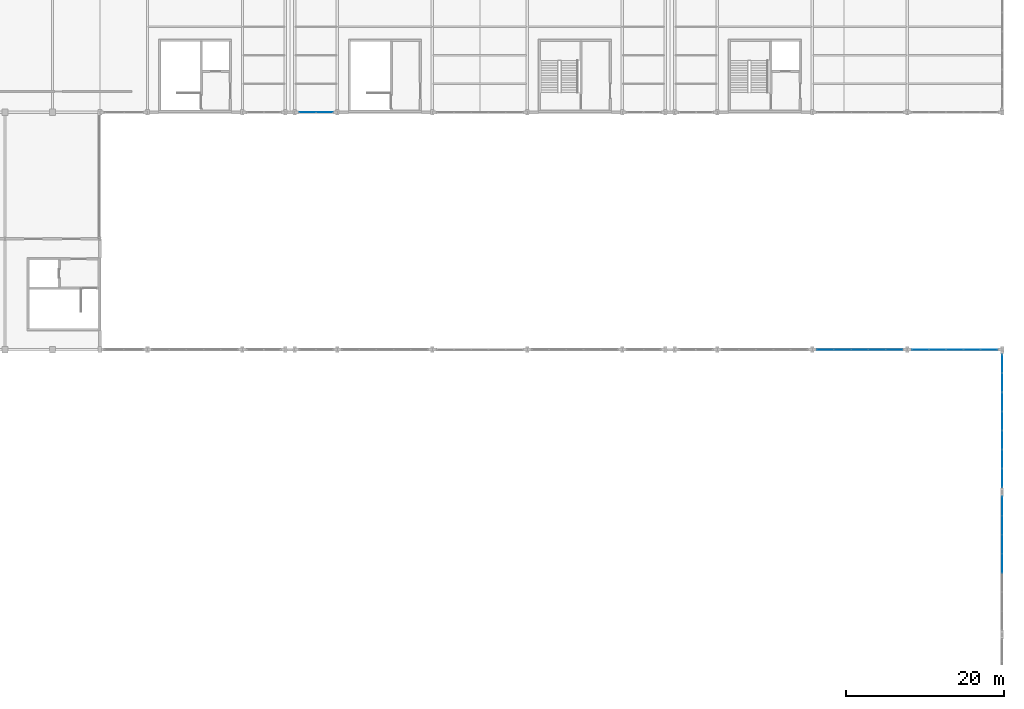
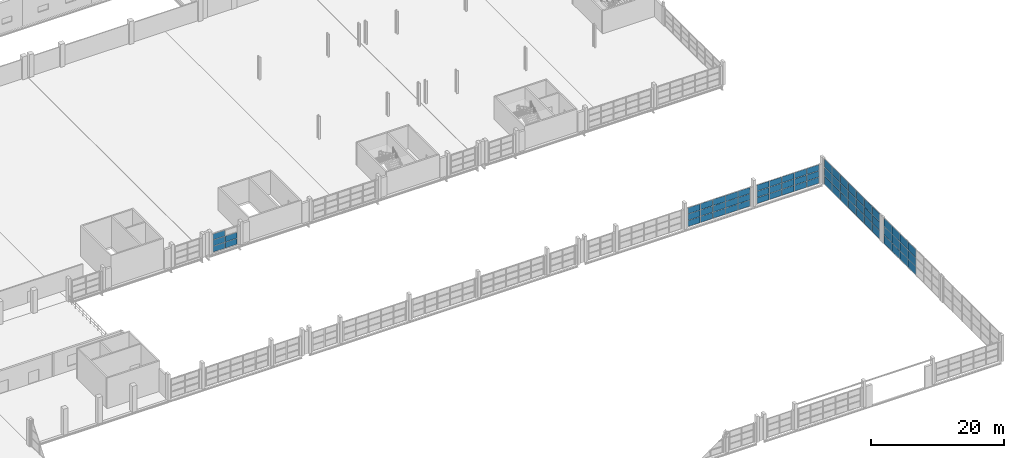
# One storey, part 126 of 147: 68 plates, 5 elements without a shape of their own.
"""IFC4 building model written with IfcOpenShell, lengths in metres."""

from ifc_helpers import new_model, si_unit, direction, frame, origin, origin_2d, place, context, subcontext, project, spatial, rectangle, extrude, material, layer, layer_set, type_object, element, aggregate, save


model = new_model("IFC4")

# Units and contexts
model_context = context("Model", 3, precision=1e-05, world=origin(), true_north=direction((0.0, 1.0)))
body_context = subcontext(model_context, "Body", "Model", "MODEL_VIEW")
ifc_project = project(units=[si_unit("LENGTHUNIT", "METRE"), si_unit("AREAUNIT", "SQUARE_METRE"), si_unit("VOLUMEUNIT", "CUBIC_METRE"), si_unit("PLANEANGLEUNIT", "RADIAN"), si_unit("MASSUNIT", "GRAM", prefix="KILO")], contexts=[model_context])

# Site, building, storey
site_placement = place(None, origin())
site = spatial("IfcSite", under=ifc_project, at=site_placement, CompositionType="ELEMENT")
building_placement = place(site_placement, origin())
building = spatial("IfcBuilding", under=site, at=building_placement, Name="Zilviju Railside Exhibition Hall", CompositionType="ELEMENT")
storey_placement = place(building_placement, frame((0.0, 0.0, 8.39990234375)))
storey = spatial("IfcBuildingStorey", under=building, at=storey_placement, Name="L03", CompositionType="ELEMENT", Elevation=8.39990234375)

# Curtain wall, plates
ifc_material_1 = material(Name="Thermally broken aluminium-steel triple-glazed curtain wall", Category="steel")
ifc_layer_1 = layer(ifc_material_1, 0.179931640625)
ifc_layer_set_1 = layer_set([ifc_layer_1], Name="Thermally broken aluminium-steel triple-glazed curtain wall")
curtain_wall_type_1 = type_object("IfcCurtainWallType", Name="CW-BAY-17", PredefinedType="USERDEFINED", material=ifc_layer_set_1)
curtain_wall_1_placement = place(storey_placement, origin())
curtain_wall_1 = element("IfcCurtainWall", 1, at=curtain_wall_1_placement, inside=storey, type_object=curtain_wall_type_1, Name="South Hall East Glazed Gable L03 (18..36)", ObjectType="GLAZED CURTAIN WALL", PredefinedType="USERDEFINED")
ifc_material_2 = material(Name="Laminated acoustic double-glazed porch unit", Category="glass")
ifc_layer_2 = layer(ifc_material_2, 0.031982421875)
ifc_layer_set_2 = layer_set([ifc_layer_2], Name="Laminated acoustic double-glazed porch unit")
plate_type_1 = type_object("IfcPlateType", Name="CWP-IGU-32", PredefinedType="CURTAIN_PANEL", material=ifc_layer_set_2)
plate_1_placement = place(storey_placement, frame((216.0, 34.227783203125, 0.06005859375), z_axis=(0.0, 0.0, 1.0), x_axis=(0.0, -1.0, 0.0)))
plate_1 = element("IfcPlate", 2, at=plate_1_placement, type_object=plate_type_1, Name="CW-17 panel 1.1", PredefinedType="CURTAIN_PANEL", context=body_context, shape_type="SweptSolid", body=[
    extrude(rectangle(XDim=2.32421875, YDim=0.031982421875, at=origin_2d()), origin(), (0.0, 0.0, 1.0), 1.510009765625),
])
plate_2_placement = place(storey_placement, frame((216.0, 34.227783203125, 1.630126953125), z_axis=(0.0, 0.0, 1.0), x_axis=(0.0, -1.0, 0.0)))
plate_2 = element("IfcPlate", 3, at=plate_2_placement, type_object=plate_type_1, Name="CW-17 panel 1.2", PredefinedType="CURTAIN_PANEL", context=body_context, shape_type="SweptSolid", body=[
    extrude(rectangle(XDim=2.32421875, YDim=0.031982421875, at=origin_2d()), origin(), (0.0, 0.0, 1.0), 1.5400390625),
])
plate_3_placement = place(storey_placement, frame((216.0, 34.227783203125, 3.22998046875), z_axis=(0.0, 0.0, 1.0), x_axis=(0.0, -1.0, 0.0)))
plate_3 = element("IfcPlate", 4, at=plate_3_placement, type_object=plate_type_1, Name="CW-17 panel 1.3", PredefinedType="CURTAIN_PANEL", context=body_context, shape_type="SweptSolid", body=[
    extrude(rectangle(XDim=2.32421875, YDim=0.031982421875, at=origin_2d()), origin(), (0.0, 0.0, 1.0), 1.510009765625),
])
plate_4_placement = place(storey_placement, frame((216.0, 31.82861328125, 0.06005859375), z_axis=(0.0, 0.0, 1.0), x_axis=(0.0, -1.0, 0.0)))
plate_4 = element("IfcPlate", 5, at=plate_4_placement, type_object=plate_type_1, Name="CW-17 panel 2.1", PredefinedType="CURTAIN_PANEL", context=body_context, shape_type="SweptSolid", body=[
    extrude(rectangle(XDim=2.354248046875, YDim=0.031982421875, at=origin_2d()), origin(), (0.0, 0.0, 1.0), 1.510009765625),
])
plate_5_placement = place(storey_placement, frame((216.0, 31.82861328125, 1.630126953125), z_axis=(0.0, 0.0, 1.0), x_axis=(0.0, -1.0, 0.0)))
plate_5 = element("IfcPlate", 6, at=plate_5_placement, type_object=plate_type_1, Name="CW-17 panel 2.2", PredefinedType="CURTAIN_PANEL", context=body_context, shape_type="SweptSolid", body=[
    extrude(rectangle(XDim=2.354248046875, YDim=0.031982421875, at=origin_2d()), origin(), (0.0, 0.0, 1.0), 1.5400390625),
])
plate_6_placement = place(storey_placement, frame((216.0, 31.82861328125, 3.22998046875), z_axis=(0.0, 0.0, 1.0), x_axis=(0.0, -1.0, 0.0)))
plate_6 = element("IfcPlate", 7, at=plate_6_placement, type_object=plate_type_1, Name="CW-17 panel 2.3", PredefinedType="CURTAIN_PANEL", context=body_context, shape_type="SweptSolid", body=[
    extrude(rectangle(XDim=2.354248046875, YDim=0.031982421875, at=origin_2d()), origin(), (0.0, 0.0, 1.0), 1.510009765625),
])
plate_7_placement = place(storey_placement, frame((216.0, 29.414306640625, 0.06005859375), z_axis=(0.0, 0.0, 1.0), x_axis=(0.0, -1.0, 0.0)))
plate_7 = element("IfcPlate", 8, at=plate_7_placement, type_object=plate_type_1, Name="CW-17 panel 3.1", PredefinedType="CURTAIN_PANEL", context=body_context, shape_type="SweptSolid", body=[
    extrude(rectangle(XDim=2.354248046875, YDim=0.031982421875, at=origin_2d()), origin(), (0.0, 0.0, 1.0), 1.510009765625),
])
plate_8_placement = place(storey_placement, frame((216.0, 29.414306640625, 1.630126953125), z_axis=(0.0, 0.0, 1.0), x_axis=(0.0, -1.0, 0.0)))
plate_8 = element("IfcPlate", 9, at=plate_8_placement, type_object=plate_type_1, Name="CW-17 panel 3.2", PredefinedType="CURTAIN_PANEL", context=body_context, shape_type="SweptSolid", body=[
    extrude(rectangle(XDim=2.354248046875, YDim=0.031982421875, at=origin_2d()), origin(), (0.0, 0.0, 1.0), 1.5400390625),
])
plate_9_placement = place(storey_placement, frame((216.0, 29.414306640625, 3.22998046875), z_axis=(0.0, 0.0, 1.0), x_axis=(0.0, -1.0, 0.0)))
plate_9 = element("IfcPlate", 10, at=plate_9_placement, type_object=plate_type_1, Name="CW-17 panel 3.3", PredefinedType="CURTAIN_PANEL", context=body_context, shape_type="SweptSolid", body=[
    extrude(rectangle(XDim=2.354248046875, YDim=0.031982421875, at=origin_2d()), origin(), (0.0, 0.0, 1.0), 1.510009765625),
])
plate_10_placement = place(storey_placement, frame((216.0, 27.0, 0.06005859375), z_axis=(0.0, 0.0, 1.0), x_axis=(0.0, -1.0, 0.0)))
plate_10 = element("IfcPlate", 11, at=plate_10_placement, type_object=plate_type_1, Name="CW-17 panel 4.1", PredefinedType="CURTAIN_PANEL", context=body_context, shape_type="SweptSolid", body=[
    extrude(rectangle(XDim=2.354248046875, YDim=0.031982421875, at=origin_2d()), origin(), (0.0, 0.0, 1.0), 1.510009765625),
])
plate_11_placement = place(storey_placement, frame((216.0, 27.0, 1.630126953125), z_axis=(0.0, 0.0, 1.0), x_axis=(0.0, -1.0, 0.0)))
plate_11 = element("IfcPlate", 12, at=plate_11_placement, type_object=plate_type_1, Name="CW-17 panel 4.2", PredefinedType="CURTAIN_PANEL", context=body_context, shape_type="SweptSolid", body=[
    extrude(rectangle(XDim=2.354248046875, YDim=0.031982421875, at=origin_2d()), origin(), (0.0, 0.0, 1.0), 1.5400390625),
])
plate_12_placement = place(storey_placement, frame((216.0, 27.0, 3.22998046875), z_axis=(0.0, 0.0, 1.0), x_axis=(0.0, -1.0, 0.0)))
plate_12 = element("IfcPlate", 13, at=plate_12_placement, type_object=plate_type_1, Name="CW-17 panel 4.3", PredefinedType="CURTAIN_PANEL", context=body_context, shape_type="SweptSolid", body=[
    extrude(rectangle(XDim=2.354248046875, YDim=0.031982421875, at=origin_2d()), origin(), (0.0, 0.0, 1.0), 1.510009765625),
])
aggregate(curtain_wall_1, [plate_1, plate_2, plate_3, plate_4, plate_5, plate_6, plate_7, plate_8, plate_9, plate_10, plate_11, plate_12])

ifc_layer_3 = layer(ifc_material_1, 0.179931640625)
ifc_layer_set_3 = layer_set([ifc_layer_3], Name="Thermally broken aluminium-steel triple-glazed curtain wall")
curtain_wall_type_2 = type_object("IfcCurtainWallType", Name="CW-BAY-20", PredefinedType="USERDEFINED", material=ifc_layer_set_3)
curtain_wall_2_placement = place(storey_placement, origin())
curtain_wall_2 = element("IfcCurtainWall", 14, at=curtain_wall_2_placement, inside=storey, type_object=curtain_wall_type_2, Name="North Hall Garden Court Curtain Wall L03 (127..132)", ObjectType="GLAZED CURTAIN WALL", PredefinedType="USERDEFINED")
ifc_material_3 = material(Name="Triple-glazed solar-control glass unit", Category="glass")
ifc_layer_4 = layer(ifc_material_3, 0.0380859375)
ifc_layer_set_4 = layer_set([ifc_layer_4], Name="Triple-glazed solar-control glass unit")
plate_type_2 = type_object("IfcPlateType", Name="CWP-IGU-38", PredefinedType="CURTAIN_PANEL", material=ifc_layer_set_4)
plate_13_placement = place(storey_placement, frame((130.358642578125, 84.0, 0.06494140625), z_axis=(0.0, 0.0, 1.0), x_axis=(-1.0, 0.0, 0.0)))
plate_13 = element("IfcPlate", 15, at=plate_13_placement, type_object=plate_type_2, Name="CW-20 panel 1.1", PredefinedType="CURTAIN_PANEL", context=body_context, shape_type="SweptSolid", body=[
    extrude(rectangle(XDim=2.052490234375, YDim=0.0380859375, at=origin_2d()), origin(), (0.0, 0.0, 1.0), 1.052490234375),
])
plate_14_placement = place(storey_placement, frame((130.358642578125, 84.0, 1.1826171875), z_axis=(0.0, 0.0, 1.0), x_axis=(-1.0, 0.0, 0.0)))
plate_14 = element("IfcPlate", 16, at=plate_14_placement, type_object=plate_type_2, Name="CW-20 panel 1.2", PredefinedType="CURTAIN_PANEL", context=body_context, shape_type="SweptSolid", body=[
    extrude(rectangle(XDim=2.052490234375, YDim=0.0380859375, at=origin_2d()), origin(), (0.0, 0.0, 1.0), 1.0849609375),
])
plate_15_placement = place(storey_placement, frame((128.2412109375, 84.0, 0.06494140625), z_axis=(0.0, 0.0, 1.0), x_axis=(-1.0, 0.0, 0.0)))
plate_15 = element("IfcPlate", 17, at=plate_15_placement, type_object=plate_type_2, Name="CW-20 panel 2.1", PredefinedType="CURTAIN_PANEL", context=body_context, shape_type="SweptSolid", body=[
    extrude(rectangle(XDim=2.052490234375, YDim=0.0380859375, at=origin_2d()), origin(), (0.0, 0.0, 1.0), 1.052490234375),
])
plate_16_placement = place(storey_placement, frame((128.2412109375, 84.0, 1.1826171875), z_axis=(0.0, 0.0, 1.0), x_axis=(-1.0, 0.0, 0.0)))
plate_16 = element("IfcPlate", 18, at=plate_16_placement, type_object=plate_type_2, Name="CW-20 panel 2.2", PredefinedType="CURTAIN_PANEL", context=body_context, shape_type="SweptSolid", body=[
    extrude(rectangle(XDim=2.052490234375, YDim=0.0380859375, at=origin_2d()), origin(), (0.0, 0.0, 1.0), 1.0849609375),
])
plate_17_placement = place(storey_placement, frame((128.2412109375, 84.0, 2.33251953125), z_axis=(0.0, 0.0, 1.0), x_axis=(-1.0, 0.0, 0.0)))
plate_17 = element("IfcPlate", 19, at=plate_17_placement, type_object=plate_type_2, Name="CW-20 panel 2.3", PredefinedType="CURTAIN_PANEL", context=body_context, shape_type="SweptSolid", body=[
    extrude(rectangle(XDim=2.052490234375, YDim=0.0380859375, at=origin_2d()), origin(), (0.0, 0.0, 1.0), 1.052490234375),
])
aggregate(curtain_wall_2, [plate_13, plate_14, plate_15, plate_16, plate_17])

ifc_layer_5 = layer(ifc_material_1, 0.179931640625)
ifc_layer_set_5 = layer_set([ifc_layer_5], Name="Thermally broken aluminium-steel triple-glazed curtain wall")
curtain_wall_type_3 = type_object("IfcCurtainWallType", Name="CW-BAY-14", PredefinedType="USERDEFINED", material=ifc_layer_set_5)
curtain_wall_3_placement = place(storey_placement, origin())
curtain_wall_3 = element("IfcCurtainWall", 20, at=curtain_wall_3_placement, inside=storey, type_object=curtain_wall_type_3, Name="South Hall Garden Court Curtain Wall L03 (192..204)", ObjectType="GLAZED CURTAIN WALL", PredefinedType="USERDEFINED")
ifc_material_4 = material(Name="Triple-glazed low-E argon insulating glass unit", Category="glass")
ifc_layer_6 = layer(ifc_material_4, 0.0439453125)
ifc_layer_set_6 = layer_set([ifc_layer_6], Name="Triple-glazed low-E argon insulating glass unit")
plate_type_3 = type_object("IfcPlateType", Name="CWP-IGU-44", PredefinedType="CURTAIN_PANEL", material=ifc_layer_set_6)
plate_18_placement = place(storey_placement, frame((193.65380859375, 54.0, 0.05517578125), z_axis=(0.0, 0.0, 1.0), x_axis=(1.0, 0.0, 0.0)))
plate_18 = element("IfcPlate", 21, at=plate_18_placement, type_object=plate_type_3, Name="CW-14 panel 1.1", PredefinedType="CURTAIN_PANEL", context=body_context, shape_type="SweptSolid", body=[
    extrude(rectangle(XDim=2.097412109375, YDim=0.0439453125, at=origin_2d()), origin(), (0.0, 0.0, 1.0), 1.1044921875),
])
plate_19_placement = place(storey_placement, frame((193.65380859375, 54.0, 1.21435546875), z_axis=(0.0, 0.0, 1.0), x_axis=(1.0, 0.0, 0.0)))
plate_19 = element("IfcPlate", 22, at=plate_19_placement, type_object=plate_type_3, Name="CW-14 panel 1.2", PredefinedType="CURTAIN_PANEL", context=body_context, shape_type="SweptSolid", body=[
    extrude(rectangle(XDim=2.097412109375, YDim=0.0439453125, at=origin_2d()), origin(), (0.0, 0.0, 1.0), 1.131103515625),
])
plate_20_placement = place(storey_placement, frame((193.65380859375, 54.0, 2.400634765625), z_axis=(0.0, 0.0, 1.0), x_axis=(1.0, 0.0, 0.0)))
plate_20 = element("IfcPlate", 23, at=plate_20_placement, type_object=plate_type_3, Name="CW-14 panel 1.3", PredefinedType="CURTAIN_PANEL", context=body_context, shape_type="SweptSolid", body=[
    extrude(rectangle(XDim=2.097412109375, YDim=0.0439453125, at=origin_2d()), origin(), (0.0, 0.0, 1.0), 1.1044921875),
])
plate_21_placement = place(storey_placement, frame((195.820068359375, 54.0, 0.05517578125), z_axis=(0.0, 0.0, 1.0), x_axis=(1.0, 0.0, 0.0)))
plate_21 = element("IfcPlate", 24, at=plate_21_placement, type_object=plate_type_3, Name="CW-14 panel 2.1", PredefinedType="CURTAIN_PANEL", context=body_context, shape_type="SweptSolid", body=[
    extrude(rectangle(XDim=2.125, YDim=0.0439453125, at=origin_2d()), origin(), (0.0, 0.0, 1.0), 1.1044921875),
])
plate_22_placement = place(storey_placement, frame((195.820068359375, 54.0, 1.21435546875), z_axis=(0.0, 0.0, 1.0), x_axis=(1.0, 0.0, 0.0)))
plate_22 = element("IfcPlate", 25, at=plate_22_placement, type_object=plate_type_3, Name="CW-14 panel 2.2", PredefinedType="CURTAIN_PANEL", context=body_context, shape_type="SweptSolid", body=[
    extrude(rectangle(XDim=2.125, YDim=0.0439453125, at=origin_2d()), origin(), (0.0, 0.0, 1.0), 1.131103515625),
])
plate_23_placement = place(storey_placement, frame((195.820068359375, 54.0, 2.400634765625), z_axis=(0.0, 0.0, 1.0), x_axis=(1.0, 0.0, 0.0)))
plate_23 = element("IfcPlate", 26, at=plate_23_placement, type_object=plate_type_3, Name="CW-14 panel 2.3", PredefinedType="CURTAIN_PANEL", context=body_context, shape_type="SweptSolid", body=[
    extrude(rectangle(XDim=2.125, YDim=0.0439453125, at=origin_2d()), origin(), (0.0, 0.0, 1.0), 1.1044921875),
])
plate_24_placement = place(storey_placement, frame((198.0, 54.0, 0.05517578125), z_axis=(0.0, 0.0, 1.0), x_axis=(1.0, 0.0, 0.0)))
plate_24 = element("IfcPlate", 27, at=plate_24_placement, type_object=plate_type_3, Name="CW-14 panel 3.1", PredefinedType="CURTAIN_PANEL", context=body_context, shape_type="SweptSolid", body=[
    extrude(rectangle(XDim=2.125, YDim=0.0439453125, at=origin_2d()), origin(), (0.0, 0.0, 1.0), 1.1044921875),
])
plate_25_placement = place(storey_placement, frame((198.0, 54.0, 1.21435546875), z_axis=(0.0, 0.0, 1.0), x_axis=(1.0, 0.0, 0.0)))
plate_25 = element("IfcPlate", 28, at=plate_25_placement, type_object=plate_type_3, Name="CW-14 panel 3.2", PredefinedType="CURTAIN_PANEL", context=body_context, shape_type="SweptSolid", body=[
    extrude(rectangle(XDim=2.125, YDim=0.0439453125, at=origin_2d()), origin(), (0.0, 0.0, 1.0), 1.131103515625),
])
plate_26_placement = place(storey_placement, frame((198.0, 54.0, 2.400634765625), z_axis=(0.0, 0.0, 1.0), x_axis=(1.0, 0.0, 0.0)))
plate_26 = element("IfcPlate", 29, at=plate_26_placement, type_object=plate_type_3, Name="CW-14 panel 3.3", PredefinedType="CURTAIN_PANEL", context=body_context, shape_type="SweptSolid", body=[
    extrude(rectangle(XDim=2.125, YDim=0.0439453125, at=origin_2d()), origin(), (0.0, 0.0, 1.0), 1.1044921875),
])
plate_27_placement = place(storey_placement, frame((200.179931640625, 54.0, 0.05517578125), z_axis=(0.0, 0.0, 1.0), x_axis=(1.0, 0.0, 0.0)))
plate_27 = element("IfcPlate", 30, at=plate_27_placement, type_object=plate_type_3, Name="CW-14 panel 4.1", PredefinedType="CURTAIN_PANEL", context=body_context, shape_type="SweptSolid", body=[
    extrude(rectangle(XDim=2.125, YDim=0.0439453125, at=origin_2d()), origin(), (0.0, 0.0, 1.0), 1.1044921875),
])
plate_28_placement = place(storey_placement, frame((200.179931640625, 54.0, 1.21435546875), z_axis=(0.0, 0.0, 1.0), x_axis=(1.0, 0.0, 0.0)))
plate_28 = element("IfcPlate", 31, at=plate_28_placement, type_object=plate_type_3, Name="CW-14 panel 4.2", PredefinedType="CURTAIN_PANEL", context=body_context, shape_type="SweptSolid", body=[
    extrude(rectangle(XDim=2.125, YDim=0.0439453125, at=origin_2d()), origin(), (0.0, 0.0, 1.0), 1.131103515625),
])
plate_29_placement = place(storey_placement, frame((200.179931640625, 54.0, 2.400634765625), z_axis=(0.0, 0.0, 1.0), x_axis=(1.0, 0.0, 0.0)))
plate_29 = element("IfcPlate", 32, at=plate_29_placement, type_object=plate_type_3, Name="CW-14 panel 4.3", PredefinedType="CURTAIN_PANEL", context=body_context, shape_type="SweptSolid", body=[
    extrude(rectangle(XDim=2.125, YDim=0.0439453125, at=origin_2d()), origin(), (0.0, 0.0, 1.0), 1.1044921875),
])
plate_30_placement = place(storey_placement, frame((202.34619140625, 54.0, 0.05517578125), z_axis=(0.0, 0.0, 1.0), x_axis=(1.0, 0.0, 0.0)))
plate_30 = element("IfcPlate", 33, at=plate_30_placement, type_object=plate_type_3, Name="CW-14 panel 5.1", PredefinedType="CURTAIN_PANEL", context=body_context, shape_type="SweptSolid", body=[
    extrude(rectangle(XDim=2.097412109375, YDim=0.0439453125, at=origin_2d()), origin(), (0.0, 0.0, 1.0), 1.1044921875),
])
plate_31_placement = place(storey_placement, frame((202.34619140625, 54.0, 1.21435546875), z_axis=(0.0, 0.0, 1.0), x_axis=(1.0, 0.0, 0.0)))
plate_31 = element("IfcPlate", 34, at=plate_31_placement, type_object=plate_type_3, Name="CW-14 panel 5.2", PredefinedType="CURTAIN_PANEL", context=body_context, shape_type="SweptSolid", body=[
    extrude(rectangle(XDim=2.097412109375, YDim=0.0439453125, at=origin_2d()), origin(), (0.0, 0.0, 1.0), 1.131103515625),
])
plate_32_placement = place(storey_placement, frame((202.34619140625, 54.0, 2.400634765625), z_axis=(0.0, 0.0, 1.0), x_axis=(1.0, 0.0, 0.0)))
plate_32 = element("IfcPlate", 35, at=plate_32_placement, type_object=plate_type_3, Name="CW-14 panel 5.3", PredefinedType="CURTAIN_PANEL", context=body_context, shape_type="SweptSolid", body=[
    extrude(rectangle(XDim=2.097412109375, YDim=0.0439453125, at=origin_2d()), origin(), (0.0, 0.0, 1.0), 1.1044921875),
])
aggregate(curtain_wall_3, [plate_18, plate_19, plate_20, plate_21, plate_22, plate_23, plate_24, plate_25, plate_26, plate_27, plate_28, plate_29, plate_30, plate_31, plate_32])

ifc_layer_7 = layer(ifc_material_1, 0.179931640625)
ifc_layer_set_7 = layer_set([ifc_layer_7], Name="Thermally broken aluminium-steel triple-glazed curtain wall")
curtain_wall_type_4 = type_object("IfcCurtainWallType", Name="CW-BAY-15", PredefinedType="USERDEFINED", material=ifc_layer_set_7)
curtain_wall_4_placement = place(storey_placement, origin())
curtain_wall_4 = element("IfcCurtainWall", 36, at=curtain_wall_4_placement, inside=storey, type_object=curtain_wall_type_4, Name="South Hall Garden Court Curtain Wall L03 (204..216)", ObjectType="GLAZED CURTAIN WALL", PredefinedType="USERDEFINED")
plate_33_placement = place(storey_placement, frame((205.657470703125, 54.0, 0.070068359375), z_axis=(0.0, 0.0, 1.0), x_axis=(1.0, 0.0, 0.0)))
plate_33 = element("IfcPlate", 37, at=plate_33_placement, type_object=plate_type_3, Name="CW-15 panel 1.1", PredefinedType="CURTAIN_PANEL", context=body_context, shape_type="SweptSolid", body=[
    extrude(rectangle(XDim=2.074951171875, YDim=0.0439453125, at=origin_2d()), origin(), (0.0, 0.0, 1.0), 1.08203125),
])
plate_34_placement = place(storey_placement, frame((205.657470703125, 54.0, 1.22216796875), z_axis=(0.0, 0.0, 1.0), x_axis=(1.0, 0.0, 0.0)))
plate_34 = element("IfcPlate", 38, at=plate_34_placement, type_object=plate_type_3, Name="CW-15 panel 1.2", PredefinedType="CURTAIN_PANEL", context=body_context, shape_type="SweptSolid", body=[
    extrude(rectangle(XDim=2.074951171875, YDim=0.0439453125, at=origin_2d()), origin(), (0.0, 0.0, 1.0), 1.115966796875),
])
plate_35_placement = place(storey_placement, frame((205.657470703125, 54.0, 2.408203125), z_axis=(0.0, 0.0, 1.0), x_axis=(1.0, 0.0, 0.0)))
plate_35 = element("IfcPlate", 39, at=plate_35_placement, type_object=plate_type_3, Name="CW-15 panel 1.3", PredefinedType="CURTAIN_PANEL", context=body_context, shape_type="SweptSolid", body=[
    extrude(rectangle(XDim=2.074951171875, YDim=0.0439453125, at=origin_2d()), origin(), (0.0, 0.0, 1.0), 1.08203125),
])
plate_36_placement = place(storey_placement, frame((207.820068359375, 54.0, 0.070068359375), z_axis=(0.0, 0.0, 1.0), x_axis=(1.0, 0.0, 0.0)))
plate_36 = element("IfcPlate", 40, at=plate_36_placement, type_object=plate_type_3, Name="CW-15 panel 2.1", PredefinedType="CURTAIN_PANEL", context=body_context, shape_type="SweptSolid", body=[
    extrude(rectangle(XDim=2.110107421875, YDim=0.0439453125, at=origin_2d()), origin(), (0.0, 0.0, 1.0), 1.08203125),
])
plate_37_placement = place(storey_placement, frame((207.820068359375, 54.0, 1.22216796875), z_axis=(0.0, 0.0, 1.0), x_axis=(1.0, 0.0, 0.0)))
plate_37 = element("IfcPlate", 41, at=plate_37_placement, type_object=plate_type_3, Name="CW-15 panel 2.2", PredefinedType="CURTAIN_PANEL", context=body_context, shape_type="SweptSolid", body=[
    extrude(rectangle(XDim=2.110107421875, YDim=0.0439453125, at=origin_2d()), origin(), (0.0, 0.0, 1.0), 1.115966796875),
])
plate_38_placement = place(storey_placement, frame((207.820068359375, 54.0, 2.408203125), z_axis=(0.0, 0.0, 1.0), x_axis=(1.0, 0.0, 0.0)))
plate_38 = element("IfcPlate", 42, at=plate_38_placement, type_object=plate_type_3, Name="CW-15 panel 2.3", PredefinedType="CURTAIN_PANEL", context=body_context, shape_type="SweptSolid", body=[
    extrude(rectangle(XDim=2.110107421875, YDim=0.0439453125, at=origin_2d()), origin(), (0.0, 0.0, 1.0), 1.08203125),
])
plate_39_placement = place(storey_placement, frame((210.0, 54.0, 0.070068359375), z_axis=(0.0, 0.0, 1.0), x_axis=(1.0, 0.0, 0.0)))
plate_39 = element("IfcPlate", 43, at=plate_39_placement, type_object=plate_type_3, Name="CW-15 panel 3.1", PredefinedType="CURTAIN_PANEL", context=body_context, shape_type="SweptSolid", body=[
    extrude(rectangle(XDim=2.110107421875, YDim=0.0439453125, at=origin_2d()), origin(), (0.0, 0.0, 1.0), 1.08203125),
])
plate_40_placement = place(storey_placement, frame((210.0, 54.0, 1.22216796875), z_axis=(0.0, 0.0, 1.0), x_axis=(1.0, 0.0, 0.0)))
plate_40 = element("IfcPlate", 44, at=plate_40_placement, type_object=plate_type_3, Name="CW-15 panel 3.2", PredefinedType="CURTAIN_PANEL", context=body_context, shape_type="SweptSolid", body=[
    extrude(rectangle(XDim=2.110107421875, YDim=0.0439453125, at=origin_2d()), origin(), (0.0, 0.0, 1.0), 1.115966796875),
])
plate_41_placement = place(storey_placement, frame((210.0, 54.0, 2.408203125), z_axis=(0.0, 0.0, 1.0), x_axis=(1.0, 0.0, 0.0)))
plate_41 = element("IfcPlate", 45, at=plate_41_placement, type_object=plate_type_3, Name="CW-15 panel 3.3", PredefinedType="CURTAIN_PANEL", context=body_context, shape_type="SweptSolid", body=[
    extrude(rectangle(XDim=2.110107421875, YDim=0.0439453125, at=origin_2d()), origin(), (0.0, 0.0, 1.0), 1.08203125),
])
plate_42_placement = place(storey_placement, frame((212.179931640625, 54.0, 0.070068359375), z_axis=(0.0, 0.0, 1.0), x_axis=(1.0, 0.0, 0.0)))
plate_42 = element("IfcPlate", 46, at=plate_42_placement, type_object=plate_type_3, Name="CW-15 panel 4.1", PredefinedType="CURTAIN_PANEL", context=body_context, shape_type="SweptSolid", body=[
    extrude(rectangle(XDim=2.110107421875, YDim=0.0439453125, at=origin_2d()), origin(), (0.0, 0.0, 1.0), 1.08203125),
])
plate_43_placement = place(storey_placement, frame((212.179931640625, 54.0, 1.22216796875), z_axis=(0.0, 0.0, 1.0), x_axis=(1.0, 0.0, 0.0)))
plate_43 = element("IfcPlate", 47, at=plate_43_placement, type_object=plate_type_3, Name="CW-15 panel 4.2", PredefinedType="CURTAIN_PANEL", context=body_context, shape_type="SweptSolid", body=[
    extrude(rectangle(XDim=2.110107421875, YDim=0.0439453125, at=origin_2d()), origin(), (0.0, 0.0, 1.0), 1.115966796875),
])
plate_44_placement = place(storey_placement, frame((212.179931640625, 54.0, 2.408203125), z_axis=(0.0, 0.0, 1.0), x_axis=(1.0, 0.0, 0.0)))
plate_44 = element("IfcPlate", 48, at=plate_44_placement, type_object=plate_type_3, Name="CW-15 panel 4.3", PredefinedType="CURTAIN_PANEL", context=body_context, shape_type="SweptSolid", body=[
    extrude(rectangle(XDim=2.110107421875, YDim=0.0439453125, at=origin_2d()), origin(), (0.0, 0.0, 1.0), 1.08203125),
])
plate_45_placement = place(storey_placement, frame((214.342529296875, 54.0, 0.070068359375), z_axis=(0.0, 0.0, 1.0), x_axis=(1.0, 0.0, 0.0)))
plate_45 = element("IfcPlate", 49, at=plate_45_placement, type_object=plate_type_3, Name="CW-15 panel 5.1", PredefinedType="CURTAIN_PANEL", context=body_context, shape_type="SweptSolid", body=[
    extrude(rectangle(XDim=2.074951171875, YDim=0.0439453125, at=origin_2d()), origin(), (0.0, 0.0, 1.0), 1.08203125),
])
plate_46_placement = place(storey_placement, frame((214.342529296875, 54.0, 1.22216796875), z_axis=(0.0, 0.0, 1.0), x_axis=(1.0, 0.0, 0.0)))
plate_46 = element("IfcPlate", 50, at=plate_46_placement, type_object=plate_type_3, Name="CW-15 panel 5.2", PredefinedType="CURTAIN_PANEL", context=body_context, shape_type="SweptSolid", body=[
    extrude(rectangle(XDim=2.074951171875, YDim=0.0439453125, at=origin_2d()), origin(), (0.0, 0.0, 1.0), 1.115966796875),
])
plate_47_placement = place(storey_placement, frame((214.342529296875, 54.0, 2.408203125), z_axis=(0.0, 0.0, 1.0), x_axis=(1.0, 0.0, 0.0)))
plate_47 = element("IfcPlate", 51, at=plate_47_placement, type_object=plate_type_3, Name="CW-15 panel 5.3", PredefinedType="CURTAIN_PANEL", context=body_context, shape_type="SweptSolid", body=[
    extrude(rectangle(XDim=2.074951171875, YDim=0.0439453125, at=origin_2d()), origin(), (0.0, 0.0, 1.0), 1.08203125),
])
aggregate(curtain_wall_4, [plate_33, plate_34, plate_35, plate_36, plate_37, plate_38, plate_39, plate_40, plate_41, plate_42, plate_43, plate_44, plate_45, plate_46, plate_47])

ifc_layer_8 = layer(ifc_material_1, 0.179931640625)
ifc_layer_set_8 = layer_set([ifc_layer_8], Name="Thermally broken aluminium-steel triple-glazed curtain wall")
curtain_wall_type_5 = type_object("IfcCurtainWallType", Name="CW-BAY-18", PredefinedType="USERDEFINED", material=ifc_layer_set_8)
curtain_wall_5_placement = place(storey_placement, origin())
curtain_wall_5 = element("IfcCurtainWall", 52, at=curtain_wall_5_placement, inside=storey, type_object=curtain_wall_type_5, Name="South Hall East Glazed Gable L03 (36..54)", ObjectType="GLAZED CURTAIN WALL", PredefinedType="USERDEFINED")
ifc_material_5 = material(Name="Insulated cobalt-blue enamelled spandrel glass panel", Category="glass")
ifc_layer_9 = layer(ifc_material_5, 0.052001953125)
ifc_layer_set_9 = layer_set([ifc_layer_9], Name="Insulated cobalt-blue enamelled spandrel glass panel")
plate_type_4 = type_object("IfcPlateType", Name="CWP-SPD-52", PredefinedType="CURTAIN_PANEL", material=ifc_layer_set_9)
plate_48_placement = place(storey_placement, frame((216.0, 52.222900390625, 0.080078125), z_axis=(0.0, 0.0, 1.0), x_axis=(0.0, -1.0, 0.0)))
plate_48 = element("IfcPlate", 53, at=plate_48_placement, type_object=plate_type_4, Name="CW-18 panel 1.1", PredefinedType="CURTAIN_PANEL", context=body_context, shape_type="SweptSolid", body=[
    extrude(rectangle(XDim=2.294189453125, YDim=0.052001953125, at=origin_2d()), origin(), (0.0, 0.0, 1.0), 1.47998046875),
])
plate_49_placement = place(storey_placement, frame((216.0, 52.222900390625, 1.64013671875), z_axis=(0.0, 0.0, 1.0), x_axis=(0.0, -1.0, 0.0)))
plate_49 = element("IfcPlate", 54, at=plate_49_placement, type_object=plate_type_4, Name="CW-18 panel 1.2", PredefinedType="CURTAIN_PANEL", context=body_context, shape_type="SweptSolid", body=[
    extrude(rectangle(XDim=2.294189453125, YDim=0.052001953125, at=origin_2d()), origin(), (0.0, 0.0, 1.0), 1.52001953125),
])
plate_50_placement = place(storey_placement, frame((216.0, 52.222900390625, 3.239990234375), z_axis=(0.0, 0.0, 1.0), x_axis=(0.0, -1.0, 0.0)))
plate_50 = element("IfcPlate", 55, at=plate_50_placement, type_object=plate_type_4, Name="CW-18 panel 1.3", PredefinedType="CURTAIN_PANEL", context=body_context, shape_type="SweptSolid", body=[
    extrude(rectangle(XDim=2.294189453125, YDim=0.052001953125, at=origin_2d()), origin(), (0.0, 0.0, 1.0), 1.47998046875),
])
plate_51_placement = place(storey_placement, frame((216.0, 49.82861328125, 0.080078125), z_axis=(0.0, 0.0, 1.0), x_axis=(0.0, -1.0, 0.0)))
plate_51 = element("IfcPlate", 56, at=plate_51_placement, type_object=plate_type_4, Name="CW-18 panel 2.1", PredefinedType="CURTAIN_PANEL", context=body_context, shape_type="SweptSolid", body=[
    extrude(rectangle(XDim=2.334228515625, YDim=0.052001953125, at=origin_2d()), origin(), (0.0, 0.0, 1.0), 1.47998046875),
])
plate_52_placement = place(storey_placement, frame((216.0, 49.82861328125, 1.64013671875), z_axis=(0.0, 0.0, 1.0), x_axis=(0.0, -1.0, 0.0)))
plate_52 = element("IfcPlate", 57, at=plate_52_placement, type_object=plate_type_4, Name="CW-18 panel 2.2", PredefinedType="CURTAIN_PANEL", context=body_context, shape_type="SweptSolid", body=[
    extrude(rectangle(XDim=2.334228515625, YDim=0.052001953125, at=origin_2d()), origin(), (0.0, 0.0, 1.0), 1.52001953125),
])
plate_53_placement = place(storey_placement, frame((216.0, 49.82861328125, 3.239990234375), z_axis=(0.0, 0.0, 1.0), x_axis=(0.0, -1.0, 0.0)))
plate_53 = element("IfcPlate", 58, at=plate_53_placement, type_object=plate_type_4, Name="CW-18 panel 2.3", PredefinedType="CURTAIN_PANEL", context=body_context, shape_type="SweptSolid", body=[
    extrude(rectangle(XDim=2.334228515625, YDim=0.052001953125, at=origin_2d()), origin(), (0.0, 0.0, 1.0), 1.47998046875),
])
plate_54_placement = place(storey_placement, frame((216.0, 47.414306640625, 0.080078125), z_axis=(0.0, 0.0, 1.0), x_axis=(0.0, -1.0, 0.0)))
plate_54 = element("IfcPlate", 59, at=plate_54_placement, type_object=plate_type_4, Name="CW-18 panel 3.1", PredefinedType="CURTAIN_PANEL", context=body_context, shape_type="SweptSolid", body=[
    extrude(rectangle(XDim=2.334228515625, YDim=0.052001953125, at=origin_2d()), origin(), (0.0, 0.0, 1.0), 1.47998046875),
])
plate_55_placement = place(storey_placement, frame((216.0, 47.414306640625, 1.64013671875), z_axis=(0.0, 0.0, 1.0), x_axis=(0.0, -1.0, 0.0)))
plate_55 = element("IfcPlate", 60, at=plate_55_placement, type_object=plate_type_4, Name="CW-18 panel 3.2", PredefinedType="CURTAIN_PANEL", context=body_context, shape_type="SweptSolid", body=[
    extrude(rectangle(XDim=2.334228515625, YDim=0.052001953125, at=origin_2d()), origin(), (0.0, 0.0, 1.0), 1.52001953125),
])
plate_56_placement = place(storey_placement, frame((216.0, 47.414306640625, 3.239990234375), z_axis=(0.0, 0.0, 1.0), x_axis=(0.0, -1.0, 0.0)))
plate_56 = element("IfcPlate", 61, at=plate_56_placement, type_object=plate_type_4, Name="CW-18 panel 3.3", PredefinedType="CURTAIN_PANEL", context=body_context, shape_type="SweptSolid", body=[
    extrude(rectangle(XDim=2.334228515625, YDim=0.052001953125, at=origin_2d()), origin(), (0.0, 0.0, 1.0), 1.47998046875),
])
plate_57_placement = place(storey_placement, frame((216.0, 45.0, 0.080078125), z_axis=(0.0, 0.0, 1.0), x_axis=(0.0, -1.0, 0.0)))
plate_57 = element("IfcPlate", 62, at=plate_57_placement, type_object=plate_type_4, Name="CW-18 panel 4.1", PredefinedType="CURTAIN_PANEL", context=body_context, shape_type="SweptSolid", body=[
    extrude(rectangle(XDim=2.334228515625, YDim=0.052001953125, at=origin_2d()), origin(), (0.0, 0.0, 1.0), 1.47998046875),
])
plate_58_placement = place(storey_placement, frame((216.0, 45.0, 1.64013671875), z_axis=(0.0, 0.0, 1.0), x_axis=(0.0, -1.0, 0.0)))
plate_58 = element("IfcPlate", 63, at=plate_58_placement, type_object=plate_type_4, Name="CW-18 panel 4.2", PredefinedType="CURTAIN_PANEL", context=body_context, shape_type="SweptSolid", body=[
    extrude(rectangle(XDim=2.334228515625, YDim=0.052001953125, at=origin_2d()), origin(), (0.0, 0.0, 1.0), 1.52001953125),
])
plate_59_placement = place(storey_placement, frame((216.0, 45.0, 3.239990234375), z_axis=(0.0, 0.0, 1.0), x_axis=(0.0, -1.0, 0.0)))
plate_59 = element("IfcPlate", 64, at=plate_59_placement, type_object=plate_type_4, Name="CW-18 panel 4.3", PredefinedType="CURTAIN_PANEL", context=body_context, shape_type="SweptSolid", body=[
    extrude(rectangle(XDim=2.334228515625, YDim=0.052001953125, at=origin_2d()), origin(), (0.0, 0.0, 1.0), 1.47998046875),
])
plate_60_placement = place(storey_placement, frame((216.0, 42.585693359375, 0.080078125), z_axis=(0.0, 0.0, 1.0), x_axis=(0.0, -1.0, 0.0)))
plate_60 = element("IfcPlate", 65, at=plate_60_placement, type_object=plate_type_4, Name="CW-18 panel 5.1", PredefinedType="CURTAIN_PANEL", context=body_context, shape_type="SweptSolid", body=[
    extrude(rectangle(XDim=2.334228515625, YDim=0.052001953125, at=origin_2d()), origin(), (0.0, 0.0, 1.0), 1.47998046875),
])
plate_61_placement = place(storey_placement, frame((216.0, 42.585693359375, 1.64013671875), z_axis=(0.0, 0.0, 1.0), x_axis=(0.0, -1.0, 0.0)))
plate_61 = element("IfcPlate", 66, at=plate_61_placement, type_object=plate_type_4, Name="CW-18 panel 5.2", PredefinedType="CURTAIN_PANEL", context=body_context, shape_type="SweptSolid", body=[
    extrude(rectangle(XDim=2.334228515625, YDim=0.052001953125, at=origin_2d()), origin(), (0.0, 0.0, 1.0), 1.52001953125),
])
plate_62_placement = place(storey_placement, frame((216.0, 42.585693359375, 3.239990234375), z_axis=(0.0, 0.0, 1.0), x_axis=(0.0, -1.0, 0.0)))
plate_62 = element("IfcPlate", 67, at=plate_62_placement, type_object=plate_type_4, Name="CW-18 panel 5.3", PredefinedType="CURTAIN_PANEL", context=body_context, shape_type="SweptSolid", body=[
    extrude(rectangle(XDim=2.334228515625, YDim=0.052001953125, at=origin_2d()), origin(), (0.0, 0.0, 1.0), 1.47998046875),
])
plate_63_placement = place(storey_placement, frame((216.0, 40.17138671875, 0.080078125), z_axis=(0.0, 0.0, 1.0), x_axis=(0.0, -1.0, 0.0)))
plate_63 = element("IfcPlate", 68, at=plate_63_placement, type_object=plate_type_4, Name="CW-18 panel 6.1", PredefinedType="CURTAIN_PANEL", context=body_context, shape_type="SweptSolid", body=[
    extrude(rectangle(XDim=2.334228515625, YDim=0.052001953125, at=origin_2d()), origin(), (0.0, 0.0, 1.0), 1.47998046875),
])
plate_64_placement = place(storey_placement, frame((216.0, 40.17138671875, 1.64013671875), z_axis=(0.0, 0.0, 1.0), x_axis=(0.0, -1.0, 0.0)))
plate_64 = element("IfcPlate", 69, at=plate_64_placement, type_object=plate_type_4, Name="CW-18 panel 6.2", PredefinedType="CURTAIN_PANEL", context=body_context, shape_type="SweptSolid", body=[
    extrude(rectangle(XDim=2.334228515625, YDim=0.052001953125, at=origin_2d()), origin(), (0.0, 0.0, 1.0), 1.52001953125),
])
plate_65_placement = place(storey_placement, frame((216.0, 40.17138671875, 3.239990234375), z_axis=(0.0, 0.0, 1.0), x_axis=(0.0, -1.0, 0.0)))
plate_65 = element("IfcPlate", 70, at=plate_65_placement, type_object=plate_type_4, Name="CW-18 panel 6.3", PredefinedType="CURTAIN_PANEL", context=body_context, shape_type="SweptSolid", body=[
    extrude(rectangle(XDim=2.334228515625, YDim=0.052001953125, at=origin_2d()), origin(), (0.0, 0.0, 1.0), 1.47998046875),
])
plate_66_placement = place(storey_placement, frame((216.0, 37.777099609375, 0.080078125), z_axis=(0.0, 0.0, 1.0), x_axis=(0.0, -1.0, 0.0)))
plate_66 = element("IfcPlate", 71, at=plate_66_placement, type_object=plate_type_4, Name="CW-18 panel 7.1", PredefinedType="CURTAIN_PANEL", context=body_context, shape_type="SweptSolid", body=[
    extrude(rectangle(XDim=2.294189453125, YDim=0.052001953125, at=origin_2d()), origin(), (0.0, 0.0, 1.0), 1.47998046875),
])
plate_67_placement = place(storey_placement, frame((216.0, 37.777099609375, 1.64013671875), z_axis=(0.0, 0.0, 1.0), x_axis=(0.0, -1.0, 0.0)))
plate_67 = element("IfcPlate", 72, at=plate_67_placement, type_object=plate_type_4, Name="CW-18 panel 7.2", PredefinedType="CURTAIN_PANEL", context=body_context, shape_type="SweptSolid", body=[
    extrude(rectangle(XDim=2.294189453125, YDim=0.052001953125, at=origin_2d()), origin(), (0.0, 0.0, 1.0), 1.52001953125),
])
plate_68_placement = place(storey_placement, frame((216.0, 37.777099609375, 3.239990234375), z_axis=(0.0, 0.0, 1.0), x_axis=(0.0, -1.0, 0.0)))
plate_68 = element("IfcPlate", 73, at=plate_68_placement, type_object=plate_type_4, Name="CW-18 panel 7.3", PredefinedType="CURTAIN_PANEL", context=body_context, shape_type="SweptSolid", body=[
    extrude(rectangle(XDim=2.294189453125, YDim=0.052001953125, at=origin_2d()), origin(), (0.0, 0.0, 1.0), 1.47998046875),
])
aggregate(curtain_wall_5, [plate_48, plate_49, plate_50, plate_51, plate_52, plate_53, plate_54, plate_55, plate_56, plate_57, plate_58, plate_59, plate_60, plate_61, plate_62, plate_63, plate_64, plate_65, plate_66, plate_67, plate_68])

save(model, "model.ifc")
